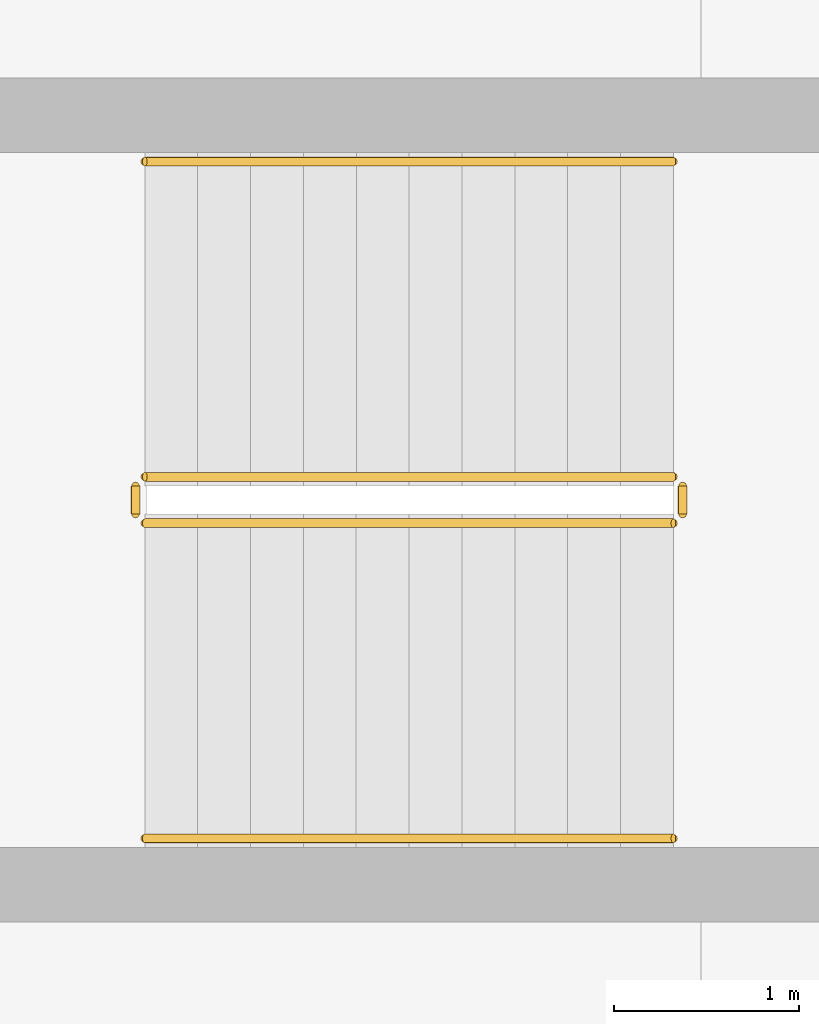
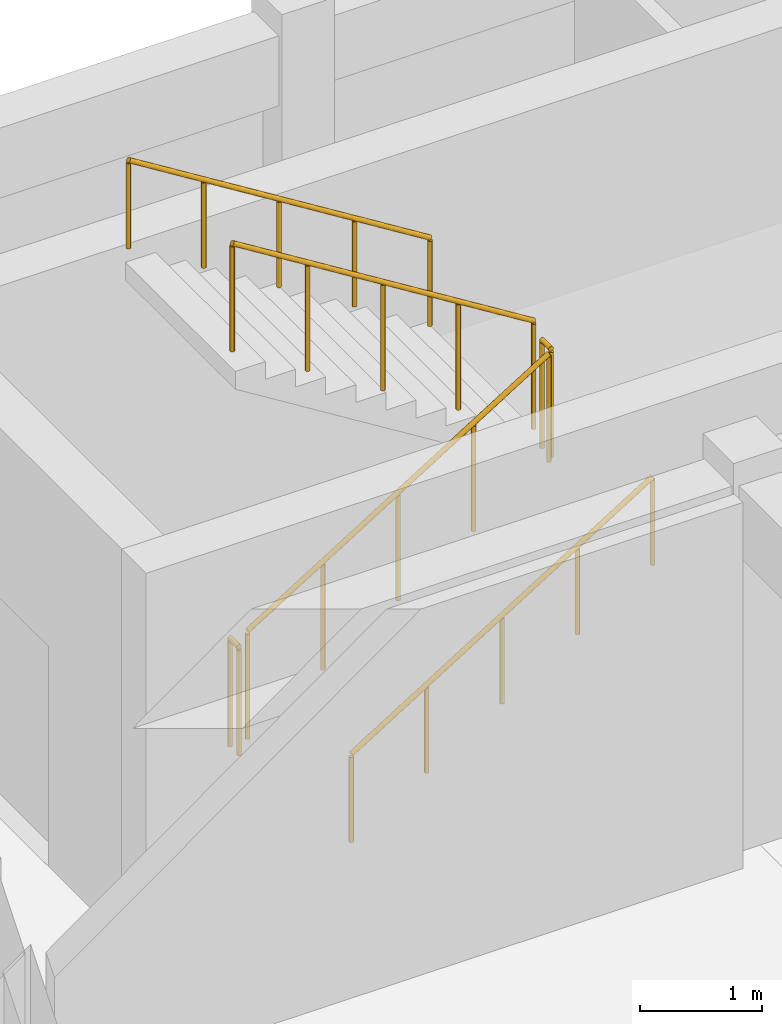
# One storey, part 5 of 6: 6 railings.
"""IFC4 building model written with IfcOpenShell, lengths in metres."""

from ifc_helpers import new_model, si_unit, direction, frame, origin, origin_2d, place, context, subcontext, project, spatial, circle, extrude, material, type_object, element, save


model = new_model("IFC4")

# Units and contexts
model_context = context("Model", 3, precision=1e-05, world=origin(), true_north=direction((0.0, 1.0)))
body_context = subcontext(model_context, "Body", "Model", "MODEL_VIEW")
ifc_project = project(units=[si_unit("LENGTHUNIT", "METRE"), si_unit("AREAUNIT", "SQUARE_METRE"), si_unit("VOLUMEUNIT", "CUBIC_METRE"), si_unit("PLANEANGLEUNIT", "RADIAN"), si_unit("MASSUNIT", "GRAM", prefix="KILO")], contexts=[model_context])

# Site, building, storey
site_placement = place(None, origin())
site = spatial("IfcSite", under=ifc_project, at=site_placement, CompositionType="ELEMENT")
building_placement = place(site_placement, origin())
building = spatial("IfcBuilding", under=site, at=building_placement, Name="Brisavento Harbour Community Centre", CompositionType="ELEMENT")
storey_placement = place(building_placement, frame((0.0, 0.0, 20.699951171875)))
storey = spatial("IfcBuildingStorey", under=building, at=storey_placement, Name="L05", CompositionType="ELEMENT", Elevation=20.699951171875)

# Railings
ifc_material = material(Name="Stainless steel 1.4401", Category="steel")
railing_type_1 = type_object("IfcRailingType", Name="RL-ST-GUARD", PredefinedType="GUARDRAIL", material=ifc_material)
railing_1_placement = place(storey_placement, frame((119.39990234375, 17.949951171875, 0.17724609375)))
element("IfcRailing", 1, at=railing_1_placement, inside=storey, type_object=railing_type_1, Name="L05 ST-04 stair guard 1", PredefinedType="GUARDRAIL", context=body_context, shape_type="SweptSolid", body=[
    extrude(circle(Radius=0.02392578125, at=origin_2d()), frame((0.0, 0.0, 1.076171875), z_axis=(0.849148672731, 0.0, 0.528153890072), x_axis=(0.0, 1.0, 0.0)), (0.0, 0.0, 1.0), 3.3564453125),
    extrude(circle(Radius=0.02099609375, at=origin_2d()), origin(), (0.0, 0.0, 1.0), 1.052001953125),
    extrude(circle(Radius=0.02099609375, at=origin_2d()), frame((0.71240234375, 0.0, 0.443115234375)), (0.0, 0.0, 1.0), 1.052001953125),
    extrude(circle(Radius=0.02099609375, at=origin_2d()), frame((1.425048828125, 0.0, 0.88623046875)), (0.0, 0.0, 1.0), 1.052001953125),
    extrude(circle(Radius=0.02099609375, at=origin_2d()), frame((2.1376953125, 0.0, 1.32958984375)), (0.0, 0.0, 1.0), 1.052001953125),
    extrude(circle(Radius=0.02099609375, at=origin_2d()), frame((2.85009765625, 0.0, 1.772705078125)), (0.0, 0.0, 1.0), 1.052001953125),
])
railing_2_placement = place(storey_placement, frame((122.300048828125, 18.0, 1.949951171875)))
element("IfcRailing", 2, at=railing_2_placement, inside=storey, type_object=railing_type_1, Name="L05 ST-04 stair guard 2", PredefinedType="GUARDRAIL", context=body_context, shape_type="SweptSolid", body=[
    extrude(circle(Radius=0.02392578125, at=origin_2d()), frame((0.0, 0.0, 1.076171875), z_axis=(0.0, 1.0, 0.0), x_axis=(-1.0, 0.0, 0.0)), (0.0, 0.0, 1.0), 0.14990234375),
    extrude(circle(Radius=0.02099609375, at=origin_2d()), origin(), (0.0, 0.0, 1.0), 1.052001953125),
    extrude(circle(Radius=0.02099609375, at=origin_2d()), frame((0.0, 0.14990234375, 0.0)), (0.0, 0.0, 1.0), 1.052001953125),
])
railing_3_placement = place(storey_placement, frame((122.25, 18.199951171875, 2.12744140625)))
element("IfcRailing", 3, at=railing_3_placement, inside=storey, type_object=railing_type_1, Name="L05 ST-04 stair guard 3", PredefinedType="GUARDRAIL", context=body_context, shape_type="SweptSolid", body=[
    extrude(circle(Radius=0.02392578125, at=origin_2d()), frame((0.0, 0.0, 1.076171875), z_axis=(-0.849148672731, 0.0, 0.528153890072), x_axis=(0.0, -1.0, 0.0)), (0.0, 0.0, 1.0), 3.3564453125),
    extrude(circle(Radius=0.02099609375, at=origin_2d()), origin(), (0.0, 0.0, 1.0), 1.052001953125),
    extrude(circle(Radius=0.02099609375, at=origin_2d()), frame((-0.71240234375, 0.0, 0.443115234375)), (0.0, 0.0, 1.0), 1.052001953125),
    extrude(circle(Radius=0.02099609375, at=origin_2d()), frame((-1.425048828125, 0.0, 0.88623046875)), (0.0, 0.0, 1.0), 1.052001953125),
    extrude(circle(Radius=0.02099609375, at=origin_2d()), frame((-2.1376953125, 0.0, 1.32958984375)), (0.0, 0.0, 1.0), 1.052001953125),
    extrude(circle(Radius=0.02099609375, at=origin_2d()), frame((-2.85009765625, 0.0, 1.772705078125)), (0.0, 0.0, 1.0), 1.052001953125),
])
railing_4_placement = place(storey_placement, frame((119.35009765625, 18.0, 0.0)))
element("IfcRailing", 4, at=railing_4_placement, inside=storey, type_object=railing_type_1, Name="L05 ST-04 stair guard 4", PredefinedType="GUARDRAIL", context=body_context, shape_type="SweptSolid", body=[
    extrude(circle(Radius=0.02392578125, at=origin_2d()), frame((0.0, 0.0, 1.076171875), z_axis=(0.0, 1.0, 0.0), x_axis=(-1.0, 0.0, 0.0)), (0.0, 0.0, 1.0), 0.14990234375),
    extrude(circle(Radius=0.02099609375, at=origin_2d()), origin(), (0.0, 0.0, 1.0), 1.052001953125),
    extrude(circle(Radius=0.02099609375, at=origin_2d()), frame((0.0, 0.14990234375, 0.0)), (0.0, 0.0, 1.0), 1.052001953125),
])
railing_type_2 = type_object("IfcRailingType", Name="RL-ST-HAND", PredefinedType="HANDRAIL", material=ifc_material)
railing_5_placement = place(storey_placement, frame((119.39990234375, 16.25, 0.17724609375)))
element("IfcRailing", 5, at=railing_5_placement, inside=storey, type_object=railing_type_2, Name="L05 ST-04 stair handrail 1", PredefinedType="HANDRAIL", context=body_context, shape_type="SweptSolid", body=[
    extrude(circle(Radius=0.02392578125, at=origin_2d()), frame((0.0, 0.0, 0.8759765625), z_axis=(0.849148672731, 0.0, 0.528153890072), x_axis=(0.0, 1.0, 0.0)), (0.0, 0.0, 1.0), 3.3564453125),
    extrude(circle(Radius=0.02099609375, at=origin_2d()), origin(), (0.0, 0.0, 1.0), 0.851806640625),
    extrude(circle(Radius=0.02099609375, at=origin_2d()), frame((0.71240234375, 0.0, 0.443115234375)), (0.0, 0.0, 1.0), 0.851806640625),
    extrude(circle(Radius=0.02099609375, at=origin_2d()), frame((1.425048828125, 0.0, 0.88623046875)), (0.0, 0.0, 1.0), 0.851806640625),
    extrude(circle(Radius=0.02099609375, at=origin_2d()), frame((2.1376953125, 0.0, 1.32958984375)), (0.0, 0.0, 1.0), 0.851806640625),
    extrude(circle(Radius=0.02099609375, at=origin_2d()), frame((2.85009765625, 0.0, 1.772705078125)), (0.0, 0.0, 1.0), 0.851806640625),
])
railing_6_placement = place(storey_placement, frame((122.25, 19.89990234375, 2.12744140625)))
element("IfcRailing", 6, at=railing_6_placement, inside=storey, type_object=railing_type_2, Name="L05 ST-04 stair handrail 2", PredefinedType="HANDRAIL", context=body_context, shape_type="SweptSolid", body=[
    extrude(circle(Radius=0.02392578125, at=origin_2d()), frame((0.0, 0.0, 0.8759765625), z_axis=(-0.849148672731, 0.0, 0.528153890072), x_axis=(0.0, -1.0, 0.0)), (0.0, 0.0, 1.0), 3.3564453125),
    extrude(circle(Radius=0.02099609375, at=origin_2d()), origin(), (0.0, 0.0, 1.0), 0.851806640625),
    extrude(circle(Radius=0.02099609375, at=origin_2d()), frame((-0.71240234375, 0.0, 0.443115234375)), (0.0, 0.0, 1.0), 0.851806640625),
    extrude(circle(Radius=0.02099609375, at=origin_2d()), frame((-1.425048828125, 0.0, 0.88623046875)), (0.0, 0.0, 1.0), 0.851806640625),
    extrude(circle(Radius=0.02099609375, at=origin_2d()), frame((-2.1376953125, 0.0, 1.32958984375)), (0.0, 0.0, 1.0), 0.851806640625),
    extrude(circle(Radius=0.02099609375, at=origin_2d()), frame((-2.85009765625, 0.0, 1.772705078125)), (0.0, 0.0, 1.0), 0.851806640625),
])

save(model, "model.ifc")
